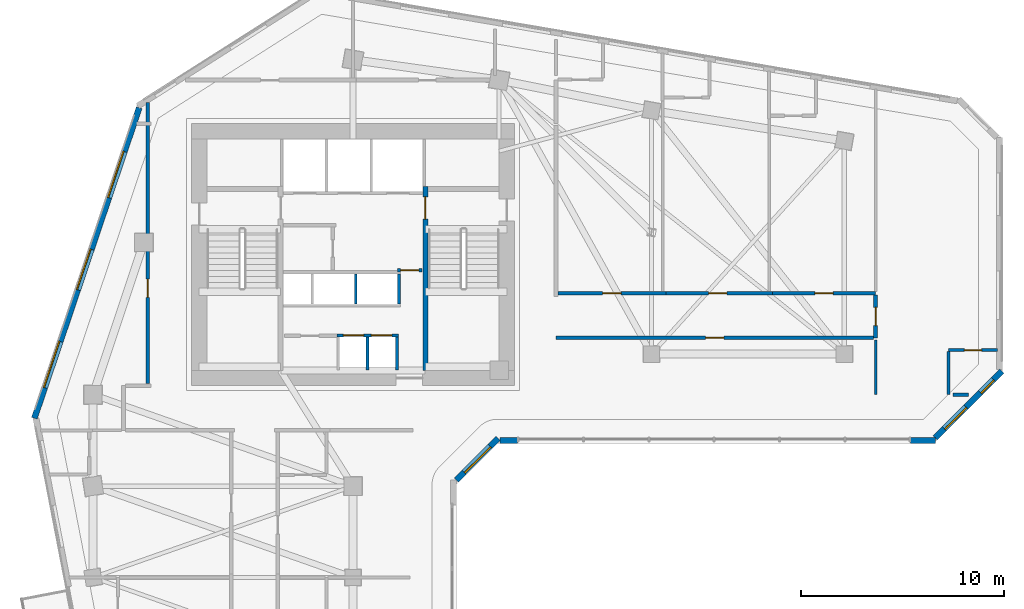
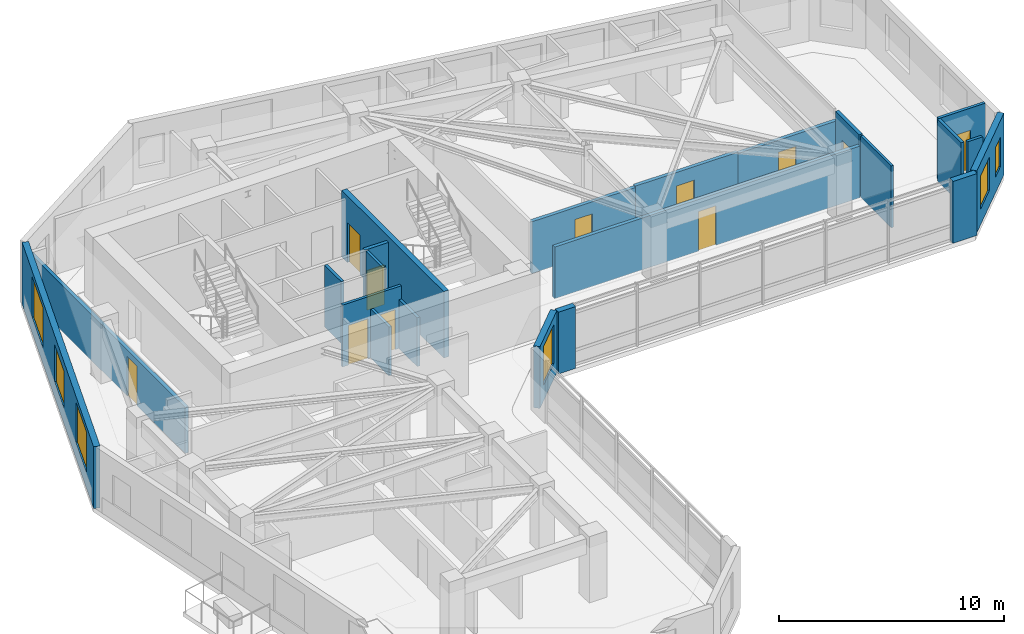
# One storey, part 6 of 11: 22 walls, 11 doors, 6 windows, 17 openings.
"""IFC4 building model written with IfcOpenShell, lengths in metres."""

import ifcopenshell
import ifcopenshell.guid

model = None  # the IFC model being written
_history = None  # IfcOwnerHistory: only IFC2X3 demands one
_inside = {}  # id of a spatial element -> (the spatial element, [elements in it])
_under = {}  # id of a project, library or spatial element -> (it, [spatial elements below it])
_declared = {}  # id of a project -> (the project, [libraries it declares])
_typed = {}  # id of a type object -> (the type object, [elements of that type])
_made_of = {}  # id of a material, layer set ... -> (it, [elements and type objects made of it])


def new_model(schema):
    """Start an empty IFC model of exactly this schema.

    Asked for "IFC4X3", IfcOpenShell would pick the latest addendum, in which some entities
    have other attributes; the version numbers below select the first issue.
    IFC2X3 requires an IfcOwnerHistory on every rooted entity: one is made here for all.
    """
    global model, _history
    if schema == "IFC4X3":
        model = ifcopenshell.file(schema_version=(4, 3, 0, 0))
    else:
        model = ifcopenshell.file(schema=schema)
    _inside.clear()
    _under.clear()
    _declared.clear()
    _typed.clear()
    _made_of.clear()
    _history = None
    if model.schema == "IFC2X3":
        org = make("IfcOrganization", Name="unknown")
        user = make(
            "IfcPersonAndOrganization",
            ThePerson=make("IfcPerson", FamilyName="unknown"),
            TheOrganization=org,
        )
        app = make(
            "IfcApplication",
            ApplicationDeveloper=org,
            Version="unknown",
            ApplicationFullName="unknown",
            ApplicationIdentifier="unknown",
        )
        _history = make(
            "IfcOwnerHistory",
            OwningUser=user,
            OwningApplication=app,
            ChangeAction="ADDED",
            CreationDate=0,
        )
    return model


def make(cls, **values):
    """One entity of the class cls with the attributes given. An attribute that is None is left unset."""
    return model.create_entity(
        cls, **{name: value for name, value in values.items() if value is not None}
    )


def rooted(cls, **values):
    """An entity with a GlobalId (a new one), such as an element, a storey or a relation."""
    return make(cls, GlobalId=ifcopenshell.guid.new(), OwnerHistory=_history, **values)


def si_unit(unit_type, name, prefix=None):
    """IfcSIUnit, for example si_unit("LENGTHUNIT", "METRE", prefix="MILLI")."""
    return make("IfcSIUnit", UnitType=unit_type, Prefix=prefix, Name=name)


def assignment(units):
    """IfcUnitAssignment: the units of a project."""
    return None if units is None else make("IfcUnitAssignment", Units=units)


def point(xyz):
    """IfcCartesianPoint."""
    return None if xyz is None else make("IfcCartesianPoint", Coordinates=xyz)


def direction(xyz):
    """IfcDirection."""
    return None if xyz is None else make("IfcDirection", DirectionRatios=xyz)


def frame(location, z_axis=None, x_axis=None):
    """IfcAxis2Placement3D, a coordinate frame: its origin and axes. An axis left out is left unset."""
    return make(
        "IfcAxis2Placement3D",
        Location=point(location),
        Axis=direction(z_axis),
        RefDirection=direction(x_axis),
    )


def frame_2d(location, x_axis=None):
    """IfcAxis2Placement2D, a coordinate frame in the plane: its origin and x axis."""
    return make(
        "IfcAxis2Placement2D", Location=point(location), RefDirection=direction(x_axis)
    )


def origin():
    """The frame at (0, 0, 0) with its axes left unset."""
    return frame((0.0, 0.0, 0.0))


def place(relative_to, where):
    """IfcLocalPlacement: puts the frame where relative to a parent placement (None: the world)."""
    return make(
        "IfcLocalPlacement", PlacementRelTo=relative_to, RelativePlacement=where
    )


def context(
    kind, dimensions, precision=None, world=None, true_north=None, identifier=None
):
    """IfcGeometricRepresentationContext, for example the 3D "Model" context."""
    return make(
        "IfcGeometricRepresentationContext",
        ContextIdentifier=identifier,
        ContextType=kind,
        CoordinateSpaceDimension=dimensions,
        Precision=precision,
        WorldCoordinateSystem=world,
        TrueNorth=true_north,
    )


def subcontext(parent, identifier, kind, view, scale=None):
    """IfcGeometricRepresentationSubContext, for example "Body" below "Model"."""
    return make(
        "IfcGeometricRepresentationSubContext",
        ContextIdentifier=identifier,
        ContextType=kind,
        ParentContext=parent,
        TargetScale=scale,
        TargetView=view,
    )


def project(units=None, contexts=None):
    """IfcProject with its units and contexts."""
    return rooted(
        "IfcProject",
        Name="project",
        RepresentationContexts=contexts,
        UnitsInContext=assignment(units),
    )


def spatial(cls, under=None, at=None, **own):
    """A site, building, storey or space (cls), placed at a placement, below another one or the project."""
    s = rooted(cls, ObjectPlacement=at, **own)
    if under is not None:
        _under.setdefault(under.id(), (under, []))[1].append(s)
    return s


def profile(cls, at=None, kind="AREA", **sizes):
    """A parametric profile (cls). Its sizes go by their IFC names, for example OverallWidth=200.0."""
    return make(cls, ProfileType=kind, Position=at, **sizes)


def rectangle(**sizes):
    """IfcRectangleProfileDef."""
    return profile("IfcRectangleProfileDef", **sizes)


def extrude(swept, where, along, depth):
    """IfcExtrudedAreaSolid: the profile swept, set in the frame where, extruded along a direction by depth."""
    return make(
        "IfcExtrudedAreaSolid",
        SweptArea=swept,
        Position=where,
        ExtrudedDirection=direction(along),
        Depth=depth,
    )


def shape(context_of_items, identifier, shape_type, items):
    """IfcShapeRepresentation: the items that make up one representation, for example the "Body"."""
    return make(
        "IfcShapeRepresentation",
        ContextOfItems=context_of_items,
        RepresentationIdentifier=identifier,
        RepresentationType=shape_type,
        Items=items,
    )


def source(mapping_origin, context_of_items, identifier, shape_type, items):
    """IfcRepresentationMap: a shape defined once, which mapped items show again and again."""
    return make(
        "IfcRepresentationMap",
        MappingOrigin=mapping_origin,
        MappedRepresentation=shape(context_of_items, identifier, shape_type, items),
    )


def transform(
    local_origin,
    x_axis=None,
    y_axis=None,
    z_axis=None,
    scale=None,
    scale2=None,
    scale3=None,
    uniform=True,
):
    """IfcCartesianTransformationOperator3D, or its non-uniform kind. x_axis, y_axis, z_axis: its Axis1, 2, 3."""
    if uniform:
        return make(
            "IfcCartesianTransformationOperator3D",
            Axis1=direction(x_axis),
            Axis2=direction(y_axis),
            LocalOrigin=point(local_origin),
            Scale=scale,
            Axis3=direction(z_axis),
        )
    return make(
        "IfcCartesianTransformationOperator3DnonUniform",
        Axis1=direction(x_axis),
        Axis2=direction(y_axis),
        LocalOrigin=point(local_origin),
        Scale=scale,
        Axis3=direction(z_axis),
        Scale2=scale2,
        Scale3=scale3,
    )


def mapped(mapping_source, mapping_target):
    """IfcMappedItem: shows the shape of a source again, moved by a transform."""
    return make(
        "IfcMappedItem", MappingSource=mapping_source, MappingTarget=mapping_target
    )


def material(Name=None, Category=None):
    """IfcMaterial."""
    return make("IfcMaterial", Name=Name, Category=Category)


def layer(
    of_material, thickness, ventilated=None, Name=None, Category=None, Priority=None
):
    """IfcMaterialLayer: one layer of a wall or slab, of a material (None: an air gap)."""
    return make(
        "IfcMaterialLayer",
        Material=of_material,
        LayerThickness=thickness,
        IsVentilated=ventilated,
        Name=Name,
        Category=Category,
        Priority=Priority,
    )


def layer_set(layers, Name=None):
    """IfcMaterialLayerSet."""
    return make("IfcMaterialLayerSet", MaterialLayers=layers, LayerSetName=Name)


def made_of(thing, what):
    """Note that an element or type object is made of a material, layer set ...; save() writes the relation."""
    if what is not None:
        _made_of.setdefault(what.id(), (what, []))[1].append(thing)
    return thing


def type_object(cls, material=None, **own):
    """A type object (cls), such as IfcWallType, which elements share."""
    return made_of(rooted(cls, **own), material)


def element(
    cls,
    number,
    at=None,
    inside=None,
    cuts=None,
    type_object=None,
    material=None,
    context=None,
    identifier="Body",
    shape_type=None,
    held_by="IfcProductDefinitionShape",
    body=None,
    shapes=None,
    **own,
):
    """One element of the class cls, such as IfcWall. Its Tag is "e" and its number.

    at: its placement. inside: the storey or other place that contains it. cuts: it is an
    opening in that element (IfcRelVoidsElement). A single representation is given by context,
    identifier, shape_type and body (its items); several are given by shapes. held_by: the class
    of the entity that holds the representations. save() writes the other relations.
    """
    e = rooted(cls, Tag="e%d" % number, ObjectPlacement=at, **own)
    if body is not None:
        shapes = [shape(context, identifier, shape_type, body)]
    if shapes is not None:
        e.Representation = make(held_by, Representations=shapes)
    if inside is not None:
        _inside.setdefault(inside.id(), (inside, []))[1].append(e)
    if cuts is not None:
        rooted(
            "IfcRelVoidsElement", RelatingBuildingElement=cuts, RelatedOpeningElement=e
        )
    if type_object is not None:
        _typed.setdefault(type_object.id(), (type_object, []))[1].append(e)
    return made_of(e, material)


def fill(opening, filler):
    """IfcRelFillsElement: the door or window that sits in an opening."""
    return rooted(
        "IfcRelFillsElement",
        RelatingOpeningElement=opening,
        RelatedBuildingElement=filler,
    )


def aggregate(whole, parts):
    """IfcRelAggregates: a whole, such as a stair, and the parts it consists of."""
    return rooted("IfcRelAggregates", RelatingObject=whole, RelatedObjects=parts)


def save(model, path):
    """Write the relations noted so far, then the file.

    IfcRelAggregates (storeys below a building ...), IfcRelContainedInSpatialStructure (elements
    in a storey), IfcRelDefinesByType, IfcRelAssociatesMaterial and IfcRelDeclares: one each for
    every whole, place, type object, material and project.
    """
    for whole, parts in _under.values():
        aggregate(whole, parts)
    for where, things in _inside.values():
        rooted(
            "IfcRelContainedInSpatialStructure",
            RelatedElements=things,
            RelatingStructure=where,
        )
    for kind, things in _typed.values():
        rooted("IfcRelDefinesByType", RelatedObjects=things, RelatingType=kind)
    for what, things in _made_of.values():
        rooted("IfcRelAssociatesMaterial", RelatedObjects=things, RelatingMaterial=what)
    for by, libraries in _declared.values():
        rooted("IfcRelDeclares", RelatingContext=by, RelatedDefinitions=libraries)
    model.write(path)


model = new_model("IFC4")

# Units and contexts
model_context = context("Model", 3, precision=1e-05, world=origin(), true_north=direction((0.0, 1.0)))
body_context = subcontext(model_context, "Body", "Model", "MODEL_VIEW")
ifc_project = project(units=[si_unit("LENGTHUNIT", "METRE"), si_unit("AREAUNIT", "SQUARE_METRE"), si_unit("VOLUMEUNIT", "CUBIC_METRE"), si_unit("PLANEANGLEUNIT", "RADIAN"), si_unit("MASSUNIT", "GRAM", prefix="KILO")], contexts=[model_context])

# Site, building, storey
site_placement = place(None, origin())
site = spatial("IfcSite", under=ifc_project, at=site_placement, CompositionType="ELEMENT")
building_placement = place(site_placement, origin())
building = spatial("IfcBuilding", under=site, at=building_placement, Name="Calvemar Wedge Station Tower", CompositionType="ELEMENT")
storey_placement = place(building_placement, frame((0.0, 0.0, 117.800048828125)))
storey = spatial("IfcBuildingStorey", under=building, at=storey_placement, Name="L28", CompositionType="ELEMENT", Elevation=117.800048828125)

# Wall, opening, door
ifc_material_1 = material(Name="Concrete C50", Category="concrete")
ifc_layer_1 = layer(ifc_material_1, 0.260009765625)
ifc_layer_set_1 = layer_set([ifc_layer_1], Name="Concrete C50")
wall_type_1 = type_object("IfcWallType", Name="SW-CORE-260", PredefinedType="SHEAR", material=ifc_layer_set_1)
wall_1_placement = place(storey_placement, frame((27.3701171875, 34.199951171875, 0.0), z_axis=(0.0, 0.0, 1.0), x_axis=(0.0, 1.0, 0.0)))
wall_1 = element("IfcWall", 1, at=wall_1_placement, inside=storey, type_object=wall_type_1, Name="Storey L28 Core Shear Wall SPINE-E", PredefinedType="SHEAR", context=body_context, shape_type="SweptSolid", body=[
    extrude(rectangle(XDim=9.06005859375, YDim=0.260009765625, at=frame_2d((4.530029296875, 0.0))), origin(), (0.0, 0.0, 1.0), 3.599853515625),
])
shared_shape_1 = source(origin(), body_context, "Body", "SweptSolid", [
    extrude(rectangle(XDim=1.10009765625, YDim=2.14990234375, at=frame_2d((0.550048828125, 1.074951171875))), frame((0.0, 0.14013671875, 0.0), z_axis=(0.0, -1.0, 0.0), x_axis=(1.0, 0.0, 0.0)), (0.0, 0.0, 1.0), 0.280029296875),
])
opening_1_placement = place(wall_1_placement, frame((7.449951171875, 0.0, 0.0)))
opening_1 = element("IfcOpeningElement", 2, at=opening_1_placement, cuts=wall_1, Name="Opening FD-90", PredefinedType="OPENING", context=body_context, shape_type="MappedRepresentation", body=[
    mapped(shared_shape_1, transform((0.0, 0.0, 0.0), scale=1.0)),
])
ifc_material_2 = material(Name="Galvanized fire-rated steel door leaf P-90", Category="steel")
door_type_1 = type_object("IfcDoorType", Name="DR-FD90-1100", OperationType="NOTDEFINED", PredefinedType="DOOR", material=ifc_material_2)
shared_shape_2 = source(origin(), body_context, "Body", "SweptSolid", [
    extrude(rectangle(XDim=1.10009765625, YDim=2.14990234375, at=frame_2d((0.550048828125, 1.074951171875))), frame((0.0, 0.02490234375, 0.0), z_axis=(0.0, -1.0, 0.0), x_axis=(1.0, 0.0, 0.0)), (0.0, 0.0, 1.0), 0.050048828125),
])
door_1_placement = place(opening_1_placement, origin())
door_1 = element("IfcDoor", 3, at=door_1_placement, inside=storey, type_object=door_type_1, Name="L28 FF Lobby to Stair ST-C2 Door", OperationType="SINGLE_SWING_LEFT", OverallHeight=2.14990234375, OverallWidth=1.10009765625, PredefinedType="DOOR", context=body_context, shape_type="MappedRepresentation", body=[
    mapped(shared_shape_2, transform((0.0, 0.0, 0.0), scale=1.0)),
])
fill(opening_1, door_1)

ifc_material_3 = material(Name="Double-stud fire-rated corridor partition")
ifc_layer_2 = layer(ifc_material_3, 0.179931640625)
ifc_layer_set_2 = layer_set([ifc_layer_2], Name="Double-stud fire-rated corridor partition")
wall_type_2 = type_object("IfcWallType", Name="W-CORR-180", PredefinedType="PARTITIONING", material=ifc_layer_set_2)
wall_2_placement = place(storey_placement, frame((27.199951171875, 39.1298828125, 0.0), z_axis=(0.0, 0.0, 1.0), x_axis=(-1.0, 0.0, 0.0)))
wall_2 = element("IfcWall", 4, at=wall_2_placement, inside=storey, type_object=wall_type_2, Name="Storey L28 Interior Partition WL-L28-003", PredefinedType="PARTITIONING", context=body_context, shape_type="SweptSolid", body=[
    extrude(rectangle(XDim=1.2099609375, YDim=0.179931640625, at=frame_2d((0.60498046875, 0.0))), origin(), (0.0, 0.0, 1.0), 3.349853515625),
])
shared_shape_3 = source(origin(), body_context, "Body", "SweptSolid", [
    extrude(rectangle(XDim=0.89990234375, YDim=2.14990234375, at=frame_2d((0.449951171875, 1.074951171875))), frame((0.0, 0.10009765625, 0.0), z_axis=(0.0, -1.0, 0.0), x_axis=(1.0, 0.0, 0.0)), (0.0, 0.0, 1.0), 0.199951171875),
])
opening_2_placement = place(wall_2_placement, frame((0.155029296875, 0.0, 0.0)))
opening_2 = element("IfcOpeningElement", 5, at=opening_2_placement, cuts=wall_2, Name="Opening FD-60", PredefinedType="OPENING", context=body_context, shape_type="MappedRepresentation", body=[
    mapped(shared_shape_3, transform((0.0, 0.0, 0.0), scale=1.0)),
])
ifc_material_4 = material(Name="Fire-rated acoustic timber-core entrance door EI 60", Category="wood")
door_type_2 = type_object("IfcDoorType", Name="DR-FD60-900", OperationType="NOTDEFINED", PredefinedType="DOOR", material=ifc_material_4)
shared_shape_4 = source(origin(), body_context, "Body", "SweptSolid", [
    extrude(rectangle(XDim=0.89990234375, YDim=2.14990234375, at=frame_2d((0.449951171875, 1.074951171875))), frame((0.0, 0.02490234375, 0.0), z_axis=(0.0, -1.0, 0.0), x_axis=(1.0, 0.0, 0.0)), (0.0, 0.0, 1.0), 0.050048828125),
])
door_2_placement = place(opening_2_placement, origin())
door_2 = element("IfcDoor", 6, at=door_2_placement, inside=storey, type_object=door_type_2, Name="L28 Core Service Lobby Door", OperationType="SINGLE_SWING_LEFT", OverallHeight=2.14990234375, OverallWidth=0.89990234375, PredefinedType="DOOR", context=body_context, shape_type="MappedRepresentation", body=[
    mapped(shared_shape_4, transform((0.0, 0.0, 0.0), scale=1.0)),
])
fill(opening_2, door_2)

wall_3_placement = place(storey_placement, frame((13.699951171875, 33.5439453125, 0.0), z_axis=(0.0, 0.0, 1.0), x_axis=(0.0, 1.0, 0.0)))
wall_3 = element("IfcWall", 7, at=wall_3_placement, inside=storey, type_object=wall_type_2, Name="Storey L28 Interior Partition WL-L28-010", PredefinedType="PARTITIONING", context=body_context, shape_type="SweptSolid", body=[
    extrude(rectangle(XDim=13.860107421875, YDim=0.179931640625, at=frame_2d((6.93017578125, 0.0))), origin(), (0.0, 0.0, 1.0), 2.491943359375),
])
opening_3_placement = place(wall_3_placement, frame((4.252685546875, 0.0, 0.0)))
opening_3 = element("IfcOpeningElement", 8, at=opening_3_placement, cuts=wall_3, Name="Opening D-01", PredefinedType="OPENING", context=body_context, shape_type="MappedRepresentation", body=[
    mapped(shared_shape_3, transform((0.0, 0.0, 0.0), scale=1.0)),
])
ifc_material_5 = material(Name="Architectural hardwood acoustic swing door", Category="wood")
door_type_3 = type_object("IfcDoorType", Name="DR-INT-900", OperationType="NOTDEFINED", PredefinedType="DOOR", material=ifc_material_5)
shared_shape_5 = source(origin(), body_context, "Body", "SweptSolid", [
    extrude(rectangle(XDim=0.89990234375, YDim=2.14990234375, at=frame_2d((0.449951171875, 1.074951171875))), frame((0.0, 0.02490234375, 0.0), z_axis=(0.0, -1.0, 0.0), x_axis=(1.0, 0.0, 0.0)), (0.0, 0.0, 1.0), 0.050048828125),
])
door_3_placement = place(opening_3_placement, origin())
door_3 = element("IfcDoor", 9, at=door_3_placement, inside=storey, type_object=door_type_3, Name="L28 Executive Lounge Door", OperationType="SINGLE_SWING_LEFT", OverallHeight=2.14990234375, OverallWidth=0.89990234375, PredefinedType="DOOR", context=body_context, shape_type="MappedRepresentation", body=[
    mapped(shared_shape_5, transform((0.0, 0.0, 0.0), scale=1.0)),
])
fill(opening_3, door_3)

wall_4_placement = place(storey_placement, frame((33.89404296875, 38.0, 0.0), z_axis=(0.0, 0.0, 1.0), x_axis=(1.0, 0.0, 0.0)))
wall_4 = element("IfcWall", 10, at=wall_4_placement, inside=storey, type_object=wall_type_2, Name="Storey L28 Interior Partition WL-L28-019", PredefinedType="PARTITIONING", context=body_context, shape_type="SweptSolid", body=[
    extrude(rectangle(XDim=5.31103515625, YDim=0.179931640625, at=frame_2d((2.655517578125, 0.0))), origin(), (0.0, 0.0, 1.0), 2.802978515625),
])
opening_4_placement = place(wall_4_placement, frame((2.20556640625, 0.0, 0.0)))
opening_4 = element("IfcOpeningElement", 11, at=opening_4_placement, cuts=wall_4, Name="Opening FD-60", PredefinedType="OPENING", context=body_context, shape_type="MappedRepresentation", body=[
    mapped(shared_shape_3, transform((0.0, 0.0, 0.0), scale=1.0)),
])
door_4_placement = place(opening_4_placement, origin())
door_4 = element("IfcDoor", 12, at=door_4_placement, inside=storey, type_object=door_type_2, Name="L28 Hotel Guest Room Door", OperationType="SINGLE_SWING_LEFT", OverallHeight=2.14990234375, OverallWidth=0.89990234375, PredefinedType="DOOR", context=body_context, shape_type="MappedRepresentation", body=[
    mapped(shared_shape_4, transform((0.0, 0.0, 0.0), scale=1.0)),
])
fill(opening_4, door_4)

wall_5_placement = place(storey_placement, frame((39.20703125, 38.0, 0.0), z_axis=(0.0, 0.0, 1.0), x_axis=(1.0, 0.0, 0.0)))
wall_5 = element("IfcWall", 13, at=wall_5_placement, inside=storey, type_object=wall_type_2, Name="Storey L28 Interior Partition WL-L28-020", PredefinedType="PARTITIONING", context=body_context, shape_type="SweptSolid", body=[
    extrude(rectangle(XDim=5.242919921875, YDim=0.179931640625, at=frame_2d((2.62158203125, 0.0))), origin(), (0.0, 0.0, 1.0), 2.87890625),
])
opening_5_placement = place(wall_5_placement, frame((2.110595703125, 0.0, 0.0)))
opening_5 = element("IfcOpeningElement", 14, at=opening_5_placement, cuts=wall_5, Name="Opening FD-60", PredefinedType="OPENING", context=body_context, shape_type="MappedRepresentation", body=[
    mapped(shared_shape_3, transform((0.0, 0.0, 0.0), scale=1.0)),
])
door_5_placement = place(opening_5_placement, origin())
door_5 = element("IfcDoor", 15, at=door_5_placement, inside=storey, type_object=door_type_2, Name="L28 Hotel Guest Room Door", OperationType="SINGLE_SWING_LEFT", OverallHeight=2.14990234375, OverallWidth=0.89990234375, PredefinedType="DOOR", context=body_context, shape_type="MappedRepresentation", body=[
    mapped(shared_shape_4, transform((0.0, 0.0, 0.0), scale=1.0)),
])
fill(opening_5, door_5)

wall_6_placement = place(storey_placement, frame((44.451904296875, 38.0, 0.0), z_axis=(0.0, 0.0, 1.0), x_axis=(1.0, 0.0, 0.0)))
wall_6 = element("IfcWall", 16, at=wall_6_placement, inside=storey, type_object=wall_type_2, Name="Storey L28 Interior Partition WL-L28-021", PredefinedType="PARTITIONING", context=body_context, shape_type="SweptSolid", body=[
    extrude(rectangle(XDim=5.0830078125, YDim=0.179931640625, at=frame_2d((2.54150390625, 0.0))), origin(), (0.0, 0.0, 1.0), 2.802978515625),
])
opening_6_placement = place(wall_6_placement, frame((2.091552734375, 0.0, 0.0)))
opening_6 = element("IfcOpeningElement", 17, at=opening_6_placement, cuts=wall_6, Name="Opening FD-60", PredefinedType="OPENING", context=body_context, shape_type="MappedRepresentation", body=[
    mapped(shared_shape_3, transform((0.0, 0.0, 0.0), scale=1.0)),
])
door_6_placement = place(opening_6_placement, origin())
door_6 = element("IfcDoor", 18, at=door_6_placement, inside=storey, type_object=door_type_2, Name="L28 Hotel Guest Room Door", OperationType="SINGLE_SWING_LEFT", OverallHeight=2.14990234375, OverallWidth=0.89990234375, PredefinedType="DOOR", context=body_context, shape_type="MappedRepresentation", body=[
    mapped(shared_shape_4, transform((0.0, 0.0, 0.0), scale=1.0)),
])
fill(opening_6, door_6)

wall_7_placement = place(storey_placement, frame((49.534912109375, 37.906005859375, 0.0), z_axis=(0.0, 0.0, 1.0), x_axis=(0.0, -1.0, 0.0)))
wall_7 = element("IfcWall", 19, at=wall_7_placement, inside=storey, type_object=wall_type_2, Name="Storey L28 Interior Partition WL-L28-022", PredefinedType="PARTITIONING", context=body_context, shape_type="SweptSolid", body=[
    extrude(rectangle(XDim=2.10595703125, YDim=0.179931640625, at=frame_2d((1.052978515625, 0.0))), origin(), (0.0, 0.0, 1.0), 3.349853515625),
])
opening_7_placement = place(wall_7_placement, frame((0.60302734375, 0.0, 0.0)))
opening_7 = element("IfcOpeningElement", 20, at=opening_7_placement, cuts=wall_7, Name="Opening FD-60", PredefinedType="OPENING", context=body_context, shape_type="MappedRepresentation", body=[
    mapped(shared_shape_3, transform((0.0, 0.0, 0.0), scale=1.0)),
])
door_7_placement = place(opening_7_placement, origin())
door_7 = element("IfcDoor", 21, at=door_7_placement, inside=storey, type_object=door_type_2, Name="L28 Hotel Suite Door", OperationType="SINGLE_SWING_LEFT", OverallHeight=2.14990234375, OverallWidth=0.89990234375, PredefinedType="DOOR", context=body_context, shape_type="MappedRepresentation", body=[
    mapped(shared_shape_4, transform((0.0, 0.0, 0.0), scale=1.0)),
])
fill(opening_7, door_7)

wall_8_placement = place(storey_placement, frame((49.44091796875, 35.800048828125, 0.0), z_axis=(0.0, 0.0, 1.0), x_axis=(-1.0, 0.0, 0.0)))
wall_8 = element("IfcWall", 22, at=wall_8_placement, inside=storey, type_object=wall_type_2, Name="Storey L28 Interior Partition WL-L28-023", PredefinedType="PARTITIONING", context=body_context, shape_type="SweptSolid", body=[
    extrude(rectangle(XDim=15.640869140625, YDim=0.179931640625, at=frame_2d((7.8203125, 0.0))), origin(), (0.0, 0.0, 1.0), 2.802978515625),
])
opening_8_placement = place(wall_8_placement, frame((7.37060546875, 0.0, 0.0)))
opening_8 = element("IfcOpeningElement", 23, at=opening_8_placement, cuts=wall_8, Name="Opening D-01", PredefinedType="OPENING", context=body_context, shape_type="MappedRepresentation", body=[
    mapped(shared_shape_3, transform((0.0, 0.0, 0.0), scale=1.0)),
])
door_8_placement = place(opening_8_placement, origin())
door_8 = element("IfcDoor", 24, at=door_8_placement, inside=storey, type_object=door_type_3, Name="L28 Club Lounge Door", OperationType="SINGLE_SWING_RIGHT", OverallHeight=2.14990234375, OverallWidth=0.89990234375, PredefinedType="DOOR", context=body_context, shape_type="MappedRepresentation", body=[
    mapped(shared_shape_5, transform((0.0, 0.0, 0.0), scale=1.0)),
])
fill(opening_8, door_8)

# Wall, opening, window
ifc_material_6 = material(Name="Precast concrete C45", Category="concrete")
ifc_layer_3 = layer(ifc_material_6, 0.300048828125)
ifc_layer_set_3 = layer_set([ifc_layer_3], Name="Precast concrete C45")
wall_type_3 = type_object("IfcWallType", Name="W-EXT-GFRC-300", PredefinedType="SOLIDWALL", material=ifc_layer_set_3)
wall_9_placement = place(storey_placement, frame((28.884033203125, 28.7919921875, 0.0), z_axis=(0.0, 0.0, 1.0), x_axis=(0.707064797706, 0.707148762175, 0.0)))
wall_9 = element("IfcWall", 25, at=wall_9_placement, inside=storey, type_object=wall_type_3, Name="Storey L28 Bronze GFRC Exterior Wall 5", PredefinedType="SOLIDWALL", context=body_context, shape_type="SweptSolid", body=[
    extrude(rectangle(XDim=2.90771484375, YDim=0.300048828125, at=frame_2d((1.453857421875, 0.0))), origin(), (0.0, 0.0, 1.0), 3.349853515625),
])
shared_shape_6 = source(origin(), body_context, "Body", "SweptSolid", [
    extrude(rectangle(XDim=1.800048828125, YDim=2.10009765625, at=frame_2d((0.89990234375, 1.050048828125))), frame((0.0, 0.16015625, 0.0), z_axis=(0.0, -1.0, 0.0), x_axis=(1.0, 0.0, 0.0)), (0.0, 0.0, 1.0), 0.320068359375),
])
opening_9_placement = place(wall_9_placement, frame((0.553955078125, 0.0, 0.85009765625)))
opening_9 = element("IfcOpeningElement", 26, at=opening_9_placement, cuts=wall_9, Name="Opening W2", PredefinedType="OPENING", context=body_context, shape_type="MappedRepresentation", body=[
    mapped(shared_shape_6, transform((0.0, 0.0, 0.0), scale=1.0)),
])
ifc_material_7 = material(Name="Low-E laminated insulated glass", Category="glass")
window_type_1 = type_object("IfcWindowType", Name="WIN-EXT-2", PartitioningType="SINGLE_PANEL", PredefinedType="WINDOW", material=ifc_material_7)
shared_shape_7 = source(origin(), body_context, "Body", "SweptSolid", [
    extrude(rectangle(XDim=1.800048828125, YDim=2.10009765625, at=frame_2d((0.89990234375, 1.050048828125))), frame((0.0, -0.014892578125, 0.0), z_axis=(0.0, -1.0, 0.0), x_axis=(1.0, 0.0, 0.0)), (0.0, 0.0, 1.0), 0.06005859375),
])
window_1_placement = place(opening_9_placement, origin())
window_1 = element("IfcWindow", 27, at=window_1_placement, inside=storey, type_object=window_type_1, Name="Storey L28 Recessed Window 5.1", OverallHeight=2.10009765625, OverallWidth=1.800048828125, PartitioningType="SINGLE_PANEL", PredefinedType="WINDOW", context=body_context, shape_type="MappedRepresentation", body=[
    mapped(shared_shape_7, transform((0.0, 0.0, 0.0), scale=1.0)),
])
fill(opening_9, window_1)

# Walls
wall_10_placement = place(storey_placement, frame((31.029052734375, 30.741943359375, 0.0), z_axis=(0.0, 0.0, 1.0), x_axis=(1.0, 0.0, 0.0)))
element("IfcWall", 28, at=wall_10_placement, inside=storey, type_object=wall_type_3, Name="Storey L28 Bronze GFRC Corner Pier 6A", PredefinedType="SOLIDWALL", context=body_context, shape_type="SweptSolid", body=[
    extrude(rectangle(XDim=0.88232421875, YDim=0.300048828125, at=frame_2d((0.441162109375, 0.0))), origin(), (0.0, 0.0, 1.0), 3.349853515625),
])
wall_11_placement = place(storey_placement, frame((51.260498046875, 30.741943359375, 0.0), z_axis=(0.0, 0.0, 1.0), x_axis=(1.0, 0.0, 0.0)))
element("IfcWall", 29, at=wall_11_placement, inside=storey, type_object=wall_type_3, Name="Storey L28 Bronze GFRC Corner Pier 6B", PredefinedType="SOLIDWALL", context=body_context, shape_type="SweptSolid", body=[
    extrude(rectangle(XDim=1.227294921875, YDim=0.300048828125, at=frame_2d((0.61376953125, 0.0))), origin(), (0.0, 0.0, 1.0), 3.349853515625),
])

# Wall, openings, windows
wall_12_placement = place(storey_placement, frame((52.475830078125, 30.8798828125, 0.0), z_axis=(0.0, 0.0, 1.0), x_axis=(0.707106781187, 0.707106781187, 0.0)))
wall_12 = element("IfcWall", 30, at=wall_12_placement, inside=storey, type_object=wall_type_3, Name="Storey L28 Bronze GFRC Exterior Wall 7", PredefinedType="SOLIDWALL", context=body_context, shape_type="SweptSolid", body=[
    extrude(rectangle(XDim=4.638916015625, YDim=0.300048828125, at=frame_2d((2.3193359375, 0.0))), origin(), (0.0, 0.0, 1.0), 3.349853515625),
])
shared_shape_8 = source(origin(), body_context, "Body", "SweptSolid", [
    extrude(rectangle(XDim=1.5, YDim=1.800048828125, at=frame_2d((0.75, 0.89990234375))), frame((0.0, 0.16015625, 0.0), z_axis=(0.0, -1.0, 0.0), x_axis=(1.0, 0.0, 0.0)), (0.0, 0.0, 1.0), 0.320068359375),
])
opening_10_placement = place(wall_12_placement, frame((0.632080078125, 0.0, 0.85009765625)))
opening_10 = element("IfcOpeningElement", 31, at=opening_10_placement, cuts=wall_12, Name="Opening W3", PredefinedType="OPENING", context=body_context, shape_type="MappedRepresentation", body=[
    mapped(shared_shape_8, transform((0.0, 0.0, 0.0), scale=1.0)),
])
shared_shape_9 = source(origin(), body_context, "Body", "SweptSolid", [
    extrude(rectangle(XDim=0.89990234375, YDim=1.60009765625, at=frame_2d((0.449951171875, 0.800048828125))), frame((0.0, 0.16015625, 0.0), z_axis=(0.0, -1.0, 0.0), x_axis=(1.0, 0.0, 0.0)), (0.0, 0.0, 1.0), 0.320068359375),
])
opening_11_placement = place(wall_12_placement, frame((3.15087890625, 0.0, 0.85009765625)))
opening_11 = element("IfcOpeningElement", 32, at=opening_11_placement, cuts=wall_12, Name="Opening W7", PredefinedType="OPENING", context=body_context, shape_type="MappedRepresentation", body=[
    mapped(shared_shape_9, transform((0.0, 0.0, 0.0), scale=1.0)),
])
window_type_2 = type_object("IfcWindowType", Name="WIN-EXT-3", PartitioningType="SINGLE_PANEL", PredefinedType="WINDOW", material=ifc_material_7)
shared_shape_10 = source(origin(), body_context, "Body", "SweptSolid", [
    extrude(rectangle(XDim=1.5, YDim=1.800048828125, at=frame_2d((0.75, 0.89990234375))), frame((0.0, -0.014892578125, 0.0), z_axis=(0.0, -1.0, 0.0), x_axis=(1.0, 0.0, 0.0)), (0.0, 0.0, 1.0), 0.06005859375),
])
window_2_placement = place(opening_10_placement, origin())
window_2 = element("IfcWindow", 33, at=window_2_placement, inside=storey, type_object=window_type_2, Name="Storey L28 Recessed Window 7.1", OverallHeight=1.800048828125, OverallWidth=1.5, PartitioningType="SINGLE_PANEL", PredefinedType="WINDOW", context=body_context, shape_type="MappedRepresentation", body=[
    mapped(shared_shape_10, transform((0.0, 0.0, 0.0), scale=1.0)),
])
fill(opening_10, window_2)
window_type_3 = type_object("IfcWindowType", Name="WIN-EXT-7", PartitioningType="SINGLE_PANEL", PredefinedType="WINDOW", material=ifc_material_7)
shared_shape_11 = source(origin(), body_context, "Body", "SweptSolid", [
    extrude(rectangle(XDim=0.89990234375, YDim=1.60009765625, at=frame_2d((0.449951171875, 0.800048828125))), frame((0.0, -0.014892578125, 0.0), z_axis=(0.0, -1.0, 0.0), x_axis=(1.0, 0.0, 0.0)), (0.0, 0.0, 1.0), 0.06005859375),
])
window_3_placement = place(opening_11_placement, origin())
window_3 = element("IfcWindow", 34, at=window_3_placement, inside=storey, type_object=window_type_3, Name="Storey L28 Recessed Window 7.2", OverallHeight=1.60009765625, OverallWidth=0.89990234375, PartitioningType="SINGLE_PANEL", PredefinedType="WINDOW", context=body_context, shape_type="MappedRepresentation", body=[
    mapped(shared_shape_11, transform((0.0, 0.0, 0.0), scale=1.0)),
])
fill(opening_11, window_3)

wall_13_placement = place(storey_placement, frame((13.2685546875, 47.1337890625, 0.0), z_axis=(0.0, 0.0, 1.0), x_axis=(-0.319929596295, -0.947441319246, 0.0)))
wall_13 = element("IfcWall", 35, at=wall_13_placement, inside=storey, type_object=wall_type_3, Name="Storey L28 Bronze GFRC Exterior Wall 12", PredefinedType="SOLIDWALL", context=body_context, shape_type="SweptSolid", body=[
    extrude(rectangle(XDim=16.13427734375, YDim=0.300048828125, at=frame_2d((8.067138671875, 0.0))), origin(), (0.0, 0.0, 1.0), 3.349853515625),
])
shared_shape_12 = source(origin(), body_context, "Body", "SweptSolid", [
    extrude(rectangle(XDim=2.39990234375, YDim=2.199951171875, at=frame_2d((1.199951171875, 1.10009765625))), frame((0.0, 0.16015625, 0.0), z_axis=(0.0, -1.0, 0.0), x_axis=(1.0, 0.0, 0.0)), (0.0, 0.0, 1.0), 0.320068359375),
])
opening_12_placement = place(wall_13_placement, frame((2.27587890625, 0.0, 0.85009765625)))
opening_12 = element("IfcOpeningElement", 36, at=opening_12_placement, cuts=wall_13, Name="Opening W1", PredefinedType="OPENING", context=body_context, shape_type="MappedRepresentation", body=[
    mapped(shared_shape_12, transform((0.0, 0.0, 0.0), scale=1.0)),
])
shared_shape_13 = source(origin(), body_context, "Body", "SweptSolid", [
    extrude(rectangle(XDim=2.10009765625, YDim=2.0, at=frame_2d((1.050048828125, 1.0))), frame((0.0, 0.16015625, 0.0), z_axis=(0.0, -1.0, 0.0), x_axis=(1.0, 0.0, 0.0)), (0.0, 0.0, 1.0), 0.320068359375),
])
opening_13_placement = place(wall_13_placement, frame((7.361083984375, 0.0, 0.85009765625)))
opening_13 = element("IfcOpeningElement", 37, at=opening_13_placement, cuts=wall_13, Name="Opening W4", PredefinedType="OPENING", context=body_context, shape_type="MappedRepresentation", body=[
    mapped(shared_shape_13, transform((0.0, 0.0, 0.0), scale=1.0)),
])
opening_14_placement = place(wall_13_placement, frame((12.14697265625, 0.0, 0.85009765625)))
opening_14 = element("IfcOpeningElement", 38, at=opening_14_placement, cuts=wall_13, Name="Opening W1", PredefinedType="OPENING", context=body_context, shape_type="MappedRepresentation", body=[
    mapped(shared_shape_12, transform((0.0, 0.0, 0.0), scale=1.0)),
])
window_type_4 = type_object("IfcWindowType", Name="WIN-EXT-4", PartitioningType="SINGLE_PANEL", PredefinedType="WINDOW", material=ifc_material_7)
shared_shape_14 = source(origin(), body_context, "Body", "SweptSolid", [
    extrude(rectangle(XDim=2.10009765625, YDim=2.0, at=frame_2d((1.050048828125, 1.0))), frame((0.0, -0.014892578125, 0.0), z_axis=(0.0, -1.0, 0.0), x_axis=(1.0, 0.0, 0.0)), (0.0, 0.0, 1.0), 0.06005859375),
])
window_4_placement = place(opening_13_placement, origin())
window_4 = element("IfcWindow", 39, at=window_4_placement, inside=storey, type_object=window_type_4, Name="Storey L28 Recessed Window 12.2", OverallHeight=2.0, OverallWidth=2.10009765625, PartitioningType="SINGLE_PANEL", PredefinedType="WINDOW", context=body_context, shape_type="MappedRepresentation", body=[
    mapped(shared_shape_14, transform((0.0, 0.0, 0.0), scale=1.0)),
])
fill(opening_13, window_4)
window_type_5 = type_object("IfcWindowType", Name="WIN-EXT-1", PartitioningType="SINGLE_PANEL", PredefinedType="WINDOW", material=ifc_material_7)
shared_shape_15 = source(origin(), body_context, "Body", "SweptSolid", [
    extrude(rectangle(XDim=2.39990234375, YDim=2.199951171875, at=frame_2d((1.199951171875, 1.10009765625))), frame((0.0, -0.014892578125, 0.0), z_axis=(0.0, -1.0, 0.0), x_axis=(1.0, 0.0, 0.0)), (0.0, 0.0, 1.0), 0.06005859375),
])
window_5_placement = place(opening_12_placement, origin())
window_5 = element("IfcWindow", 40, at=window_5_placement, inside=storey, type_object=window_type_5, Name="Storey L28 Recessed Window 12.1", OverallHeight=2.199951171875, OverallWidth=2.39990234375, PartitioningType="SINGLE_PANEL", PredefinedType="WINDOW", context=body_context, shape_type="MappedRepresentation", body=[
    mapped(shared_shape_15, transform((0.0, 0.0, 0.0), scale=1.0)),
])
fill(opening_12, window_5)
window_6_placement = place(opening_14_placement, origin())
window_6 = element("IfcWindow", 41, at=window_6_placement, inside=storey, type_object=window_type_5, Name="Storey L28 Recessed Window 12.3", OverallHeight=2.199951171875, OverallWidth=2.39990234375, PartitioningType="SINGLE_PANEL", PredefinedType="WINDOW", context=body_context, shape_type="MappedRepresentation", body=[
    mapped(shared_shape_15, transform((0.0, 0.0, 0.0), scale=1.0)),
])
fill(opening_14, window_6)

# Wall, openings, doors
ifc_material_8 = material(Name="Reinforced concrete blockwork lift shaft wall", Category="masonry")
ifc_layer_4 = layer(ifc_material_8, 0.139892578125)
ifc_layer_set_4 = layer_set([ifc_layer_4], Name="Reinforced concrete blockwork lift shaft wall")
wall_type_4 = type_object("IfcWallType", Name="W-LIFT-160", PredefinedType="SOLIDWALL", material=ifc_layer_set_4)
wall_14_placement = place(storey_placement, frame((23.0, 35.919921875, 0.0), z_axis=(0.0, 0.0, 1.0), x_axis=(1.0, 0.0, 0.0)))
wall_14 = element("IfcWall", 42, at=wall_14_placement, inside=storey, type_object=wall_type_4, Name="Storey L28 South Passenger Lift Bank Front Wall", PredefinedType="SOLIDWALL", context=body_context, shape_type="SweptSolid", body=[
    extrude(rectangle(XDim=3.030029296875, YDim=0.139892578125, at=frame_2d((1.51513671875, 0.0))), origin(), (0.0, 0.0, 1.0), 3.349853515625),
])
shared_shape_16 = source(origin(), body_context, "Body", "SweptSolid", [
    extrude(rectangle(XDim=1.0, YDim=2.14990234375, at=frame_2d((0.5, 1.074951171875))), frame((0.0, 0.080078125, 0.0), z_axis=(0.0, -1.0, 0.0), x_axis=(1.0, 0.0, 0.0)), (0.0, 0.0, 1.0), 0.159912109375),
])
opening_15_placement = place(wall_14_placement, frame((0.320068359375, 0.0, 0.0)))
opening_15 = element("IfcOpeningElement", 43, at=opening_15_placement, cuts=wall_14, Name="Opening LD-PAX", PredefinedType="OPENING", context=body_context, shape_type="MappedRepresentation", body=[
    mapped(shared_shape_16, transform((0.0, 0.0, 0.0), scale=1.0)),
])
opening_16_placement = place(wall_14_placement, frame((1.7099609375, 0.0, 0.0)))
opening_16 = element("IfcOpeningElement", 44, at=opening_16_placement, cuts=wall_14, Name="Opening LD-PAX", PredefinedType="OPENING", context=body_context, shape_type="MappedRepresentation", body=[
    mapped(shared_shape_16, transform((0.0, 0.0, 0.0), scale=1.0)),
])
ifc_material_9 = material(Name="Anodised bronze passenger lift sliding landing door")
door_type_4 = type_object("IfcDoorType", Name="DR-LD-PAX-1000", OperationType="SLIDING_TO_LEFT", PredefinedType="DOOR", material=ifc_material_9)
shared_shape_17 = source(origin(), body_context, "Body", "SweptSolid", [
    extrude(rectangle(XDim=1.0, YDim=2.14990234375, at=frame_2d((0.5, 1.074951171875))), frame((0.0, 0.02490234375, 0.0), z_axis=(0.0, -1.0, 0.0), x_axis=(1.0, 0.0, 0.0)), (0.0, 0.0, 1.0), 0.050048828125),
])
door_9_placement = place(opening_15_placement, origin())
door_9 = element("IfcDoor", 45, at=door_9_placement, inside=storey, type_object=door_type_4, Name="L28 Lift HL-01 Sliding Landing Door", OperationType="SLIDING_TO_LEFT", OverallHeight=2.14990234375, OverallWidth=1.0, PredefinedType="DOOR", context=body_context, shape_type="MappedRepresentation", body=[
    mapped(shared_shape_17, transform((0.0, 0.0, 0.0), scale=1.0)),
])
fill(opening_15, door_9)
door_10_placement = place(opening_16_placement, origin())
door_10 = element("IfcDoor", 46, at=door_10_placement, inside=storey, type_object=door_type_4, Name="L28 Lift HL-02 Sliding Landing Door", OperationType="SLIDING_TO_RIGHT", OverallHeight=2.14990234375, OverallWidth=1.0, PredefinedType="DOOR", context=body_context, shape_type="MappedRepresentation", body=[
    mapped(shared_shape_17, transform((0.0, 0.0, 0.0), scale=1.0)),
])
fill(opening_16, door_10)

# Walls
for number, where, z_axis, x_axis, name in (
    (47, (25.9599609375, 34.219970703125, 0.0), (0.0, 0.0, 1.0), (0.0, 1.0, 0.0), "Storey L28 South Passenger Lift Shaft Wall E"),
    (48, (24.514892578125, 34.219970703125, 0.0), (0.0, 0.0, 1.0), (0.0, 1.0, 0.0), "Storey L28 South Passenger Lift Shaft Wall D1"),
):
    element("IfcWall", number, at=place(storey_placement, frame(where, z_axis=z_axis, x_axis=x_axis)), inside=storey, type_object=wall_type_4, Name=name, PredefinedType="SOLIDWALL", context=body_context, shape_type="SweptSolid", body=[
        extrude(rectangle(XDim=1.6201171875, YDim=0.139892578125, at=frame_2d((0.81005859375, 0.0))), origin(), (0.0, 0.0, 1.0), 2.641845703125),
    ])
for number, where, z_axis, x_axis, name in (
    (49, (26.06005859375, 37.4599609375, 0.0), (0.0, 0.0, 1.0), (0.0, 1.0, 0.0), "Storey L28 Upper Passenger Lift Shaft Wall E"),
    (50, (23.93505859375, 37.4599609375, 0.0), (0.0, 0.0, 1.0), (0.0, 1.0, 0.0), "Storey L28 Upper Passenger Lift Shaft Wall D2"),
):
    element("IfcWall", number, at=place(storey_placement, frame(where, z_axis=z_axis, x_axis=x_axis)), inside=storey, type_object=wall_type_4, Name=name, PredefinedType="SOLIDWALL", context=body_context, shape_type="SweptSolid", body=[
        extrude(rectangle(XDim=1.47998046875, YDim=0.139892578125, at=frame_2d((0.739990234375, 0.0))), origin(), (0.0, 0.0, 1.0), 3.349853515625),
    ])
ifc_material_10 = material(Name="Insulated acoustic gypsum stud partition")
ifc_layer_5 = layer(ifc_material_10, 0.125)
ifc_layer_set_5 = layer_set([ifc_layer_5], Name="Insulated acoustic gypsum stud partition")
wall_type_5 = type_object("IfcWallType", Name="W-PART-125", PredefinedType="PARTITIONING", material=ifc_layer_set_5)
wall_15_placement = place(storey_placement, frame((49.534912109375, 33.0, 0.0), z_axis=(0.0, 0.0, 1.0), x_axis=(0.0, 1.0, 0.0)))
element("IfcWall", 51, at=wall_15_placement, inside=storey, type_object=wall_type_5, Name="Storey L28 Interior Partition WL-L28-037", PredefinedType="PARTITIONING", context=body_context, shape_type="SweptSolid", body=[
    extrude(rectangle(XDim=2.7060546875, YDim=0.125, at=frame_2d((1.35302734375, 0.0))), origin(), (0.0, 0.0, 1.0), 3.349853515625),
])

# Wall, opening, door
ifc_material_11 = material(Name="Moisture-resistant acoustic bathroom partition")
ifc_layer_6 = layer(ifc_material_11, 0.14990234375)
ifc_layer_set_6 = layer_set([ifc_layer_6], Name="Moisture-resistant acoustic bathroom partition")
wall_type_6 = type_object("IfcWallType", Name="W-WET-150", PredefinedType="PARTITIONING", material=ifc_layer_set_6)
wall_16_placement = place(storey_placement, frame((53.135009765625, 35.199951171875, 0.0), z_axis=(0.0, 0.0, 1.0), x_axis=(1.0, 0.0, 0.0)))
wall_16 = element("IfcWall", 52, at=wall_16_placement, inside=storey, type_object=wall_type_6, Name="Storey L28 Interior Partition WL-L28-035", PredefinedType="PARTITIONING", context=body_context, shape_type="SweptSolid", body=[
    extrude(rectangle(XDim=2.39990234375, YDim=0.14990234375, at=frame_2d((1.199951171875, 0.0))), origin(), (0.0, 0.0, 1.0), 3.349853515625),
])
shared_shape_18 = source(origin(), body_context, "Body", "SweptSolid", [
    extrude(rectangle(XDim=0.85009765625, YDim=2.14990234375, at=frame_2d((0.425048828125, 1.074951171875))), frame((0.0, 0.0849609375, 0.0), z_axis=(0.0, -1.0, 0.0), x_axis=(1.0, 0.0, 0.0)), (0.0, 0.0, 1.0), 0.169921875),
])
opening_17_placement = place(wall_16_placement, frame((0.77490234375, 0.0, 0.0)))
opening_17 = element("IfcOpeningElement", 53, at=opening_17_placement, cuts=wall_16, Name="Opening D-02", PredefinedType="OPENING", context=body_context, shape_type="MappedRepresentation", body=[
    mapped(shared_shape_18, transform((0.0, 0.0, 0.0), scale=1.0)),
])
ifc_material_12 = material(Name="Moisture-sealed bathroom hardwood swing door", Category="wood")
door_type_5 = type_object("IfcDoorType", Name="DR-WET-850", OperationType="NOTDEFINED", PredefinedType="DOOR", material=ifc_material_12)
shared_shape_19 = source(origin(), body_context, "Body", "SweptSolid", [
    extrude(rectangle(XDim=0.85009765625, YDim=2.14990234375, at=frame_2d((0.425048828125, 1.074951171875))), frame((0.0, 0.02490234375, 0.0), z_axis=(0.0, -1.0, 0.0), x_axis=(1.0, 0.0, 0.0)), (0.0, 0.0, 1.0), 0.050048828125),
])
door_11_placement = place(opening_17_placement, origin())
door_11 = element("IfcDoor", 54, at=door_11_placement, inside=storey, type_object=door_type_5, Name="L28 En-Suite Bathroom Door", OperationType="SINGLE_SWING_RIGHT", OverallHeight=2.14990234375, OverallWidth=0.85009765625, PredefinedType="DOOR", context=body_context, shape_type="MappedRepresentation", body=[
    mapped(shared_shape_19, transform((0.0, 0.0, 0.0), scale=1.0)),
])
fill(opening_17, door_11)

# Walls
wall_17_placement = place(storey_placement, frame((53.135009765625, 33.0, 0.0), z_axis=(0.0, 0.0, 1.0), x_axis=(0.0, 1.0, 0.0)))
element("IfcWall", 55, at=wall_17_placement, inside=storey, type_object=wall_type_6, Name="Storey L28 Interior Partition WL-L28-036", PredefinedType="PARTITIONING", context=body_context, shape_type="SweptSolid", body=[
    extrude(rectangle(XDim=2.12109375, YDim=0.14990234375, at=frame_2d((1.060546875, 0.0))), origin(), (0.0, 0.0, 1.0), 3.349853515625),
])
wall_18_placement = place(storey_placement, frame((54.1220703125, 33.0, 0.0), z_axis=(0.0, 0.0, 1.0), x_axis=(-1.0, 0.0, 0.0)))
element("IfcWall", 56, at=wall_18_placement, inside=storey, type_object=wall_type_6, Name="Storey L28 Bathroom Enclosure Wall WL-L28-058", PredefinedType="PARTITIONING", context=body_context, shape_type="SweptSolid", body=[
    extrude(rectangle(XDim=0.76708984375, YDim=0.14990234375, at=frame_2d((0.383544921875, 0.0))), origin(), (0.0, 0.0, 1.0), 3.349853515625),
])

save(model, "model.ifc")
